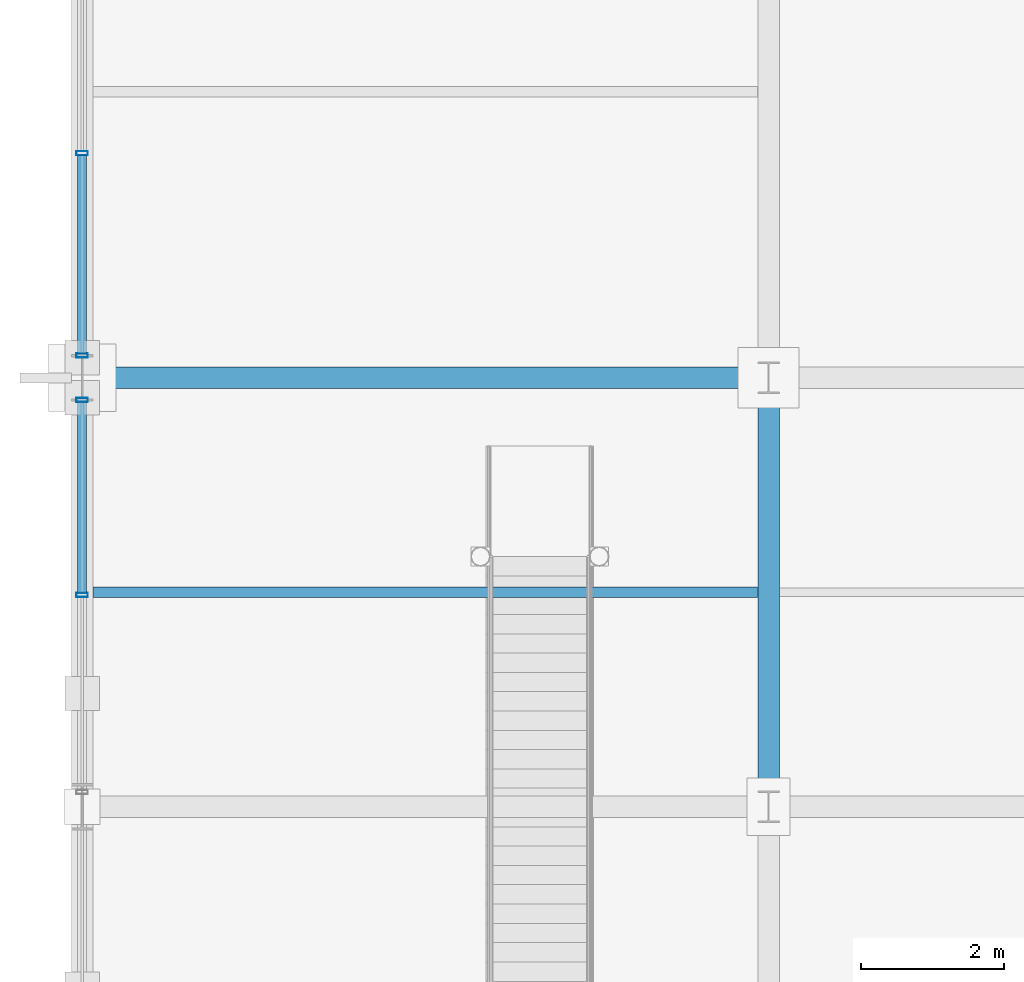
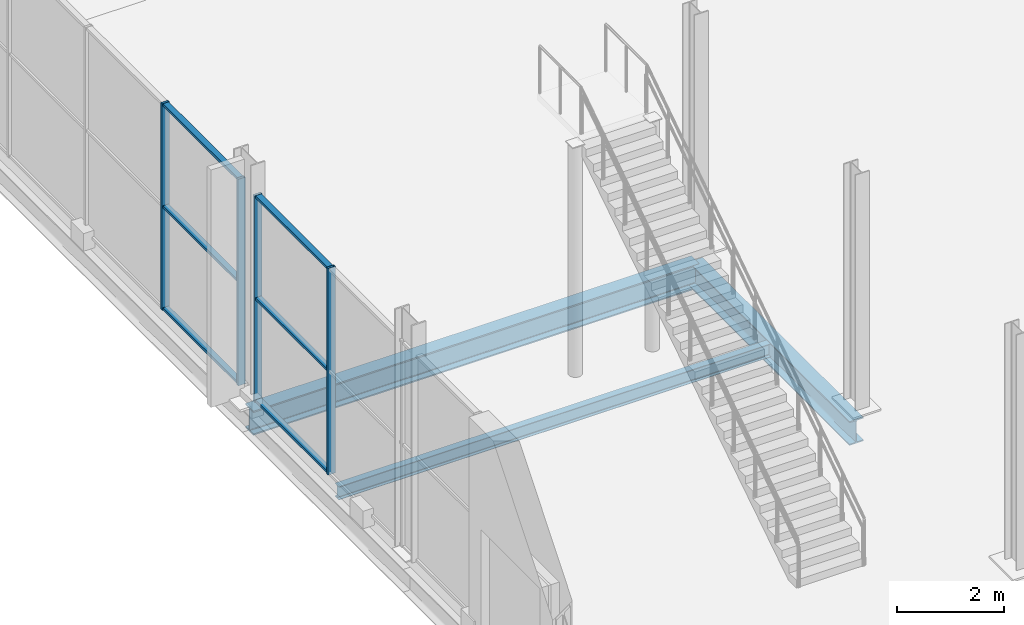
# One storey, part 50 of 196: 10 members, 3 beams, 2 elements without a shape of their own.
"""IFC4 building model written with IfcOpenShell, lengths in metres."""

from ifc_helpers import new_model, si_unit, direction, frame, origin, origin_2d, place, context, subcontext, project, spatial, hollow_rectangle, i_section, extrude, material, material_profile, profile_set, type_object, element, aggregate, save


model = new_model("IFC4")

# Units and contexts
model_context = context("Model", 3, precision=1e-05, world=origin(), true_north=direction((0.0, 1.0)))
body_context = subcontext(model_context, "Body", "Model", "MODEL_VIEW")
ifc_project = project(units=[si_unit("LENGTHUNIT", "METRE"), si_unit("AREAUNIT", "SQUARE_METRE"), si_unit("VOLUMEUNIT", "CUBIC_METRE"), si_unit("PLANEANGLEUNIT", "RADIAN"), si_unit("MASSUNIT", "GRAM", prefix="KILO")], contexts=[model_context])

# Site, building, storey
site_placement = place(None, origin())
site = spatial("IfcSite", under=ifc_project, at=site_placement, CompositionType="ELEMENT")
building_placement = place(site_placement, origin())
building = spatial("IfcBuilding", under=site, at=building_placement, Name="Merenkruunu Market Hall", CompositionType="ELEMENT")
storey_placement = place(building_placement, origin())
storey = spatial("IfcBuildingStorey", under=building, at=storey_placement, Name="L00", CompositionType="ELEMENT", Elevation=0.0)

# Curtain wall, members
ifc_material_1 = material(Name="Powder-coated aluminium", Category="aluminium")
curtain_wall_type_1 = type_object("IfcCurtainWallType", Name="Glazed Curtain Wall CW01", PredefinedType="USERDEFINED", material=ifc_material_1)
curtain_wall_1_placement = place(storey_placement, origin())
curtain_wall_1 = element("IfcCurtainWall", 1, at=curtain_wall_1_placement, inside=storey, type_object=curtain_wall_type_1, Name="CW-L00-CWM01-007", ObjectType="GLAZED_FACADE", PredefinedType="USERDEFINED")
ifc_material_profile_1 = material_profile(ifc_material_1, hollow_rectangle(XDim=0.06005859375, YDim=0.159912109375, WallThickness=0.00390625, at=origin_2d()), Name="ALU 60x160x4")
ifc_profile_set_1 = profile_set([ifc_material_profile_1], Name="Powder-coated aluminium")
member_type_1 = type_object("IfcMemberType", Name="Curtain Wall Mullion CWM01", PredefinedType="MULLION", material=ifc_profile_set_1)
member_1_placement = place(storey_placement, frame((0.0, 48.563232421875, 0.0), z_axis=(0.0, 0.0, 1.0), x_axis=(0.0, 1.0, 0.0)))
member_1 = element("IfcMember", 2, at=member_1_placement, type_object=member_type_1, Name="CW01 mullion 3", PredefinedType="MULLION", context=body_context, shape_type="SweptSolid", body=[
    extrude(hollow_rectangle(XDim=0.06005859375, YDim=0.159912109375, WallThickness=0.00390625, at=origin_2d()), origin(), (0.0, 0.0, 1.0), 4.699951171875),
])
member_2_placement = place(storey_placement, frame((0.0, 51.2900390625, 0.0), z_axis=(0.0, 0.0, 1.0), x_axis=(0.0, 1.0, 0.0)))
member_2 = element("IfcMember", 3, at=member_2_placement, type_object=member_type_1, Name="CW01 mullion 4", PredefinedType="MULLION", context=body_context, shape_type="SweptSolid", body=[
    extrude(hollow_rectangle(XDim=0.06005859375, YDim=0.159912109375, WallThickness=0.00390625, at=origin_2d()), origin(), (0.0, 0.0, 1.0), 4.699951171875),
])

curtain_wall_type_2 = type_object("IfcCurtainWallType", Name="Glazed Curtain Wall CW04", PredefinedType="USERDEFINED", material=ifc_material_1)
curtain_wall_2_placement = place(storey_placement, origin())
curtain_wall_2 = element("IfcCurtainWall", 4, at=curtain_wall_2_placement, inside=storey, type_object=curtain_wall_type_2, Name="CW-L00-CWM01-010", ObjectType="GLAZED_FACADE", PredefinedType="USERDEFINED")
member_3_placement = place(storey_placement, frame((0.0, 51.909912109375, 0.0), z_axis=(0.0, 0.0, 1.0), x_axis=(0.0, 1.0, 0.0)))
member_3 = element("IfcMember", 5, at=member_3_placement, type_object=member_type_1, Name="CW04 mullion 1", PredefinedType="MULLION", context=body_context, shape_type="SweptSolid", body=[
    extrude(hollow_rectangle(XDim=0.06005859375, YDim=0.159912109375, WallThickness=0.00390625, at=origin_2d()), origin(), (0.0, 0.0, 1.0), 4.699951171875),
])
member_4_placement = place(storey_placement, frame((0.0, 54.739990234375, 0.0), z_axis=(0.0, 0.0, 1.0), x_axis=(0.0, 1.0, 0.0)))
member_4 = element("IfcMember", 6, at=member_4_placement, type_object=member_type_1, Name="CW04 mullion 2", PredefinedType="MULLION", context=body_context, shape_type="SweptSolid", body=[
    extrude(hollow_rectangle(XDim=0.06005859375, YDim=0.159912109375, WallThickness=0.00390625, at=origin_2d()), origin(), (0.0, 0.0, 1.0), 4.699951171875),
])

# Member
ifc_material_profile_2 = material_profile(ifc_material_1, hollow_rectangle(XDim=0.06005859375, YDim=0.125, WallThickness=0.00390625, at=origin_2d()), Name="ALU 60x125x4")
ifc_profile_set_2 = profile_set([ifc_material_profile_2], Name="Powder-coated aluminium")
member_type_2 = type_object("IfcMemberType", Name="Curtain Wall Transom CWT01", PredefinedType="USERDEFINED", material=ifc_profile_set_2)
member_5_placement = place(storey_placement, frame((0.0, 48.59326171875, 0.030029296875), z_axis=(0.0, 1.0, 0.0), x_axis=(0.0, 0.0, 1.0)))
member_5 = element("IfcMember", 7, at=member_5_placement, type_object=member_type_2, Name="CW01 transom 3.1", ObjectType="TRANSOM", PredefinedType="USERDEFINED", context=body_context, shape_type="SweptSolid", body=[
    extrude(hollow_rectangle(XDim=0.06005859375, YDim=0.125, WallThickness=0.00390625, at=origin_2d()), origin(), (0.0, 0.0, 1.0), 2.666748046875),
])

member_6_placement = place(storey_placement, frame((0.0, 48.59326171875, 2.35009765625), z_axis=(0.0, 1.0, 0.0), x_axis=(0.0, 0.0, 1.0)))
member_6 = element("IfcMember", 8, at=member_6_placement, type_object=member_type_2, Name="CW01 transom 3.2", ObjectType="TRANSOM", PredefinedType="USERDEFINED", context=body_context, shape_type="SweptSolid", body=[
    extrude(hollow_rectangle(XDim=0.06005859375, YDim=0.125, WallThickness=0.00390625, at=origin_2d()), origin(), (0.0, 0.0, 1.0), 2.666748046875),
])

member_7_placement = place(storey_placement, frame((0.0, 48.59326171875, 4.669921875), z_axis=(0.0, 1.0, 0.0), x_axis=(0.0, 0.0, 1.0)))
member_7 = element("IfcMember", 9, at=member_7_placement, type_object=member_type_2, Name="CW01 transom 3.3", ObjectType="TRANSOM", PredefinedType="USERDEFINED", context=body_context, shape_type="SweptSolid", body=[
    extrude(hollow_rectangle(XDim=0.06005859375, YDim=0.125, WallThickness=0.00390625, at=origin_2d()), origin(), (0.0, 0.0, 1.0), 2.666748046875),
])

aggregate(curtain_wall_1, [member_1, member_2, member_5, member_6, member_7])

member_8_placement = place(storey_placement, frame((0.0, 51.93994140625, 0.030029296875), z_axis=(0.0, 1.0, 0.0), x_axis=(0.0, 0.0, 1.0)))
member_8 = element("IfcMember", 10, at=member_8_placement, type_object=member_type_2, Name="CW04 transom 1.1", ObjectType="TRANSOM", PredefinedType="USERDEFINED", context=body_context, shape_type="SweptSolid", body=[
    extrude(hollow_rectangle(XDim=0.06005859375, YDim=0.125, WallThickness=0.00390625, at=origin_2d()), origin(), (0.0, 0.0, 1.0), 2.77001953125),
])

member_9_placement = place(storey_placement, frame((0.0, 51.93994140625, 2.35009765625), z_axis=(0.0, 1.0, 0.0), x_axis=(0.0, 0.0, 1.0)))
member_9 = element("IfcMember", 11, at=member_9_placement, type_object=member_type_2, Name="CW04 transom 1.2", ObjectType="TRANSOM", PredefinedType="USERDEFINED", context=body_context, shape_type="SweptSolid", body=[
    extrude(hollow_rectangle(XDim=0.06005859375, YDim=0.125, WallThickness=0.00390625, at=origin_2d()), origin(), (0.0, 0.0, 1.0), 2.77001953125),
])

member_10_placement = place(storey_placement, frame((0.0, 51.93994140625, 4.669921875), z_axis=(0.0, 1.0, 0.0), x_axis=(0.0, 0.0, 1.0)))
member_10 = element("IfcMember", 12, at=member_10_placement, type_object=member_type_2, Name="CW04 transom 1.3", ObjectType="TRANSOM", PredefinedType="USERDEFINED", context=body_context, shape_type="SweptSolid", body=[
    extrude(hollow_rectangle(XDim=0.06005859375, YDim=0.125, WallThickness=0.00390625, at=origin_2d()), origin(), (0.0, 0.0, 1.0), 2.77001953125),
])

aggregate(curtain_wall_2, [member_3, member_4, member_8, member_9, member_10])

# Beams
ifc_material_2 = material(Name="Steel S355J2", Category="steel")
ifc_material_profile_3 = material_profile(ifc_material_2, i_section(OverallWidth=0.300048828125, OverallDepth=0.550048828125, WebThickness=0.014892578125, FlangeThickness=0.029052734375, FilletRadius=0.027099609375, at=origin_2d()), Name="HEB 550")
ifc_profile_set_3 = profile_set([ifc_material_profile_3], Name="Steel S355J2")
beam_type_1 = type_object("IfcBeamType", Name="Primary Floor Girder B02", PredefinedType="BEAM", material=ifc_profile_set_3)
beam_1_placement = place(storey_placement, frame((0.0, 51.60009765625, -0.614990234375), z_axis=(1.0, 0.0, 0.0), x_axis=(0.0, 1.0, 0.0)))
element("IfcBeam", 13, at=beam_1_placement, inside=storey, type_object=beam_type_1, Name="BM-L00-B02-0081", PredefinedType="BEAM", context=body_context, shape_type="SweptSolid", body=[
    extrude(i_section(OverallWidth=0.300048828125, OverallDepth=0.550048828125, WebThickness=0.014892578125, FlangeThickness=0.029052734375, FilletRadius=0.027099609375, at=origin_2d()), origin(), (0.0, 0.0, 1.0), 9.60009765625),
])
ifc_material_profile_4 = material_profile(ifc_material_2, i_section(OverallWidth=0.300048828125, OverallDepth=0.5400390625, WebThickness=0.012451171875, FlangeThickness=0.02392578125, FilletRadius=0.027099609375, at=origin_2d()), Name="HEA 550")
ifc_profile_set_4 = profile_set([ifc_material_profile_4], Name="Steel S355J2")
beam_type_2 = type_object("IfcBeamType", Name="Primary Floor Girder B06", PredefinedType="BEAM", material=ifc_profile_set_4)
beam_2_placement = place(storey_placement, frame((9.60009765625, 45.60009765625, -0.610107421875), z_axis=(0.0, 1.0, 0.0), x_axis=(-1.0, 0.0, 0.0)))
element("IfcBeam", 14, at=beam_2_placement, inside=storey, type_object=beam_type_2, Name="BM-L00-B06-0148", PredefinedType="BEAM", context=body_context, shape_type="SweptSolid", body=[
    extrude(i_section(OverallWidth=0.300048828125, OverallDepth=0.5400390625, WebThickness=0.012451171875, FlangeThickness=0.02392578125, FilletRadius=0.027099609375, at=origin_2d()), origin(), (0.0, 0.0, 1.0), 6.0),
])
ifc_material_profile_5 = material_profile(ifc_material_2, i_section(OverallWidth=0.14990234375, OverallDepth=0.300048828125, WebThickness=0.007080078125, FlangeThickness=0.0107421875, FilletRadius=0.014892578125, at=origin_2d()), Name="IPE 300")
ifc_profile_set_5 = profile_set([ifc_material_profile_5], Name="Steel S355J2")
beam_type_3 = type_object("IfcBeamType", Name="Secondary Floor Joist J04", PredefinedType="JOIST", material=ifc_profile_set_5)
beam_3_placement = place(storey_placement, frame((0.153076171875, 48.60009765625, -0.489990234375), z_axis=(1.0, 0.0, 0.0), x_axis=(0.0, 1.0, 0.0)))
element("IfcBeam", 15, at=beam_3_placement, inside=storey, type_object=beam_type_3, Name="BM-L00-J04-0279", PredefinedType="JOIST", context=body_context, shape_type="SweptSolid", body=[
    extrude(i_section(OverallWidth=0.14990234375, OverallDepth=0.300048828125, WebThickness=0.007080078125, FlangeThickness=0.0107421875, FilletRadius=0.014892578125, at=origin_2d()), origin(), (0.0, 0.0, 1.0), 9.2939453125),
])

save(model, "model.ifc")
